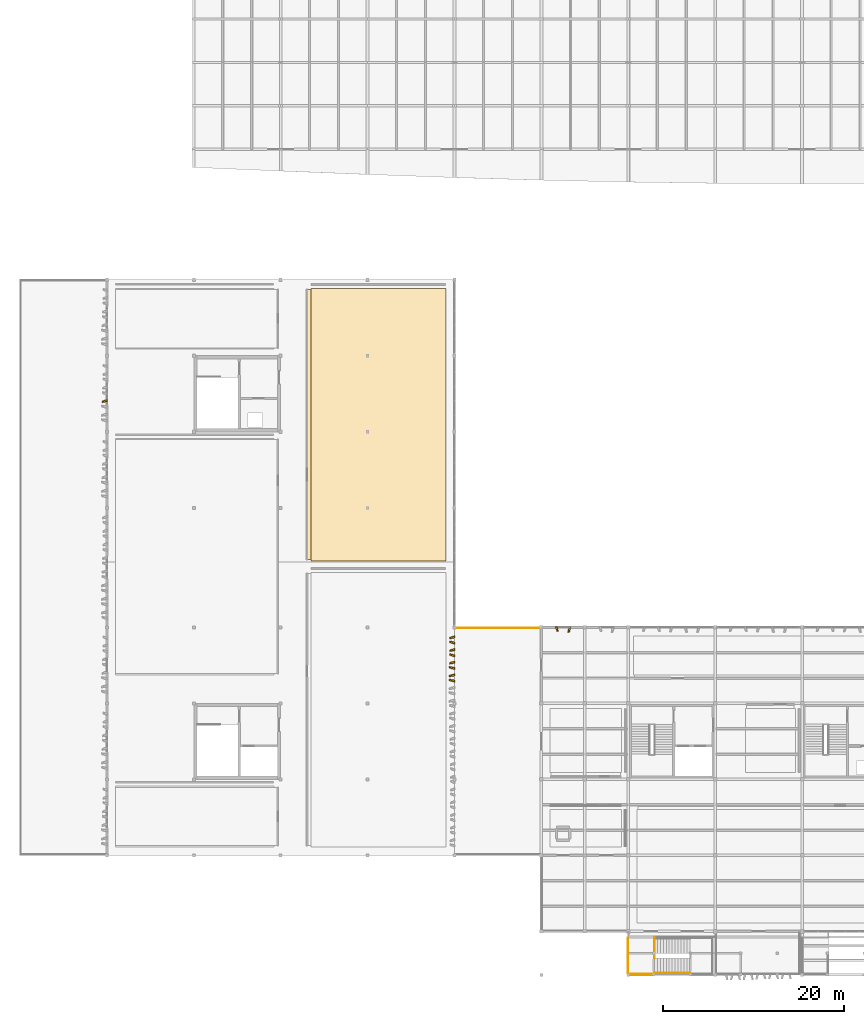
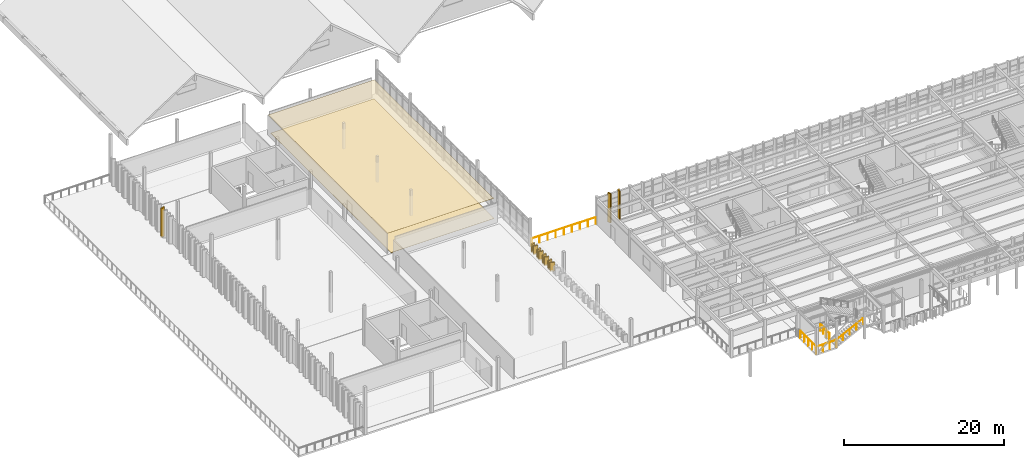
# One storey, part 37 of 42: 13 coverings, 4 railings.
"""IFC4 building model written with IfcOpenShell, lengths in metres."""

from ifc_helpers import new_model, si_unit, direction, frame, origin, origin_2d, place, context, subcontext, project, spatial, polyline, circle, outline, extrude, material, layer, layer_set, type_object, element, save


model = new_model("IFC4")

# Units and contexts
model_context = context("Model", 3, precision=1e-05, world=origin(), true_north=direction((0.0, 1.0)))
body_context = subcontext(model_context, "Body", "Model", "MODEL_VIEW")
ifc_project = project(units=[si_unit("LENGTHUNIT", "METRE"), si_unit("AREAUNIT", "SQUARE_METRE"), si_unit("VOLUMEUNIT", "CUBIC_METRE"), si_unit("PLANEANGLEUNIT", "RADIAN"), si_unit("MASSUNIT", "GRAM", prefix="KILO")], contexts=[model_context])

# Site, building, storey
site_placement = place(None, origin())
site = spatial("IfcSite", under=ifc_project, at=site_placement, CompositionType="ELEMENT")
building_placement = place(site_placement, origin())
building = spatial("IfcBuilding", under=site, at=building_placement, Name="Kolvemor Railside Polytechnic", CompositionType="ELEMENT")
storey_placement = place(building_placement, frame((0.0, 0.0, 14.39990234375)))
storey = spatial("IfcBuildingStorey", under=building, at=storey_placement, Name="L03", CompositionType="ELEMENT", Elevation=14.39990234375)

# Coverings
ifc_material_1 = material(Name="Perforated acoustic mineral-fibre and timber-slat ceiling", Category="wood")
ifc_layer_1 = layer(ifc_material_1, 0.030029296875, Name="COV-CEIL-2")
ifc_layer_set_1 = layer_set([ifc_layer_1], Name="Perforated acoustic mineral-fibre and timber-slat ceiling")
covering_type_1 = type_object("IfcCoveringType", Name="COV-CEIL-2", PredefinedType="CEILING", material=ifc_layer_set_1)
covering_1_placement = place(storey_placement, frame((0.0, 0.0, 3.0)))
element("IfcCovering", 1, at=covering_1_placement, inside=storey, type_object=covering_type_1, Name="Environmental Modelling Laboratory Acoustic Ceiling", PredefinedType="CEILING", context=body_context, shape_type="SweptSolid", body=[
    extrude(outline(polyline([(31.719970703125, 45.8798828125), (47.050048828125, 45.8798828125), (47.050048828125, 75.719970703125), (31.719970703125, 75.719970703125), (31.719970703125, 45.8798828125)])), origin(), (0.0, 0.0, 1.0), 0.030029296875),
])
ifc_material_2 = material(Name="Champagne-bronze PVDF-anodised marine aluminium 5052-H32", Category="aluminium")
ifc_layer_2 = layer(ifc_material_2, 0.179931640625, Name="COV-FIN-CHAMP")
ifc_layer_set_2 = layer_set([ifc_layer_2], Name="Champagne-bronze PVDF-anodised marine aluminium 5052-H32")
covering_type_2 = type_object("IfcCoveringType", Name="COV-FIN-CHAMP", PredefinedType="CLADDING", material=ifc_layer_set_2)
covering_2_placement = place(storey_placement, frame((0.0, 0.0, -0.219970703125)))
element("IfcCovering", 2, at=covering_2_placement, inside=storey, type_object=covering_type_2, Name="Pleated Solar Fin L03-0810", PredefinedType="CLADDING", context=body_context, shape_type="SweptSolid", body=[
    extrude(outline(polyline([(48.034912109375, 37.465087890625), (48.034912109375, 37.235107421875), (47.493896484375, 37.1298828125), (47.493896484375, 37.2900390625), (48.034912109375, 37.465087890625)])), origin(), (0.0, 0.0, 1.0), 1.3701171875),
])
covering_3_placement = place(storey_placement, frame((0.0, 0.0, -0.219970703125)))
element("IfcCovering", 3, at=covering_3_placement, inside=storey, type_object=covering_type_2, Name="Pleated Solar Fin L03-0811", PredefinedType="CLADDING", context=body_context, shape_type="SweptSolid", body=[
    extrude(outline(polyline([(48.034912109375, 36.764892578125), (48.034912109375, 36.534912109375), (47.48095703125, 36.7099609375), (47.48095703125, 36.8701171875), (48.034912109375, 36.764892578125)])), origin(), (0.0, 0.0, 1.0), 1.3701171875),
])
covering_4_placement = place(storey_placement, frame((0.0, 0.0, -0.219970703125)))
element("IfcCovering", 4, at=covering_4_placement, inside=storey, type_object=covering_type_2, Name="Pleated Solar Fin L03-0812", PredefinedType="CLADDING", context=body_context, shape_type="SweptSolid", body=[
    extrude(outline(polyline([(48.034912109375, 36.06494140625), (48.034912109375, 35.8349609375), (47.468994140625, 35.72998046875), (47.468994140625, 35.889892578125), (48.034912109375, 36.06494140625)])), origin(), (0.0, 0.0, 1.0), 1.3701171875),
])
covering_5_placement = place(storey_placement, frame((0.0, 0.0, -0.219970703125)))
element("IfcCovering", 5, at=covering_5_placement, inside=storey, type_object=covering_type_2, Name="Pleated Solar Fin L03-0813", PredefinedType="CLADDING", context=body_context, shape_type="SweptSolid", body=[
    extrude(outline(polyline([(48.034912109375, 35.364990234375), (48.034912109375, 35.135009765625), (47.4580078125, 35.31005859375), (47.4580078125, 35.469970703125), (48.034912109375, 35.364990234375)])), origin(), (0.0, 0.0, 1.0), 1.3701171875),
])
covering_6_placement = place(storey_placement, frame((0.0, 0.0, -0.219970703125)))
element("IfcCovering", 6, at=covering_6_placement, inside=storey, type_object=covering_type_2, Name="Pleated Solar Fin L03-0814", PredefinedType="CLADDING", context=body_context, shape_type="SweptSolid", body=[
    extrude(outline(polyline([(48.034912109375, 34.6650390625), (48.034912109375, 34.43505859375), (47.448974609375, 34.330078125), (47.448974609375, 34.489990234375), (48.034912109375, 34.6650390625)])), origin(), (0.0, 0.0, 1.0), 1.3701171875),
])
covering_7_placement = place(storey_placement, frame((0.0, 0.0, -0.219970703125)))
element("IfcCovering", 7, at=covering_7_placement, inside=storey, type_object=covering_type_2, Name="Pleated Solar Fin L03-0815", PredefinedType="CLADDING", context=body_context, shape_type="SweptSolid", body=[
    extrude(outline(polyline([(48.034912109375, 33.965087890625), (48.034912109375, 33.735107421875), (47.44189453125, 33.909912109375), (47.44189453125, 34.070068359375), (48.034912109375, 33.965087890625)])), origin(), (0.0, 0.0, 1.0), 1.3701171875),
])
covering_8_placement = place(storey_placement, frame((0.0, 0.0, -0.219970703125)))
element("IfcCovering", 8, at=covering_8_placement, inside=storey, type_object=covering_type_2, Name="Pleated Solar Fin L03-0816", PredefinedType="CLADDING", context=body_context, shape_type="SweptSolid", body=[
    extrude(outline(polyline([(48.034912109375, 33.264892578125), (48.034912109375, 33.034912109375), (47.43798828125, 32.929931640625), (47.43798828125, 33.090087890625), (48.034912109375, 33.264892578125)])), origin(), (0.0, 0.0, 1.0), 1.3701171875),
])
covering_9_placement = place(storey_placement, frame((0.0, 0.0, -0.219970703125)))
element("IfcCovering", 9, at=covering_9_placement, inside=storey, type_object=covering_type_2, Name="Pleated Solar Fin L03-0817", PredefinedType="CLADDING", context=body_context, shape_type="SweptSolid", body=[
    extrude(outline(polyline([(48.034912109375, 32.56494140625), (48.034912109375, 32.3349609375), (47.43505859375, 32.510009765625), (47.43505859375, 32.669921875), (48.034912109375, 32.56494140625)])), origin(), (0.0, 0.0, 1.0), 1.3701171875),
])
ifc_material_3 = material(Name="Sea-mist PVDF-anodised marine aluminium 5052-H32", Category="aluminium")
ifc_layer_3 = layer(ifc_material_3, 0.159912109375, Name="COV-FIN-MIST")
ifc_layer_set_3 = layer_set([ifc_layer_3], Name="Sea-mist PVDF-anodised marine aluminium 5052-H32")
covering_type_3 = type_object("IfcCoveringType", Name="COV-FIN-MIST", PredefinedType="CLADDING", material=ifc_layer_set_3)
covering_10_placement = place(storey_placement, frame((0.0, 0.0, -0.239990234375)))
element("IfcCovering", 10, at=covering_10_placement, inside=storey, type_object=covering_type_3, Name="Pleated Solar Fin L03-0231", PredefinedType="CLADDING", context=body_context, shape_type="SweptSolid", body=[
    extrude(outline(polyline([(9.635009765625, 63.3349609375), (9.635009765625, 63.56494140625), (9.072021484375, 63.389892578125), (9.072021484375, 63.22998046875), (9.635009765625, 63.3349609375)])), origin(), (0.0, 0.0, 1.0), 4.440185546875),
])
covering_11_placement = place(storey_placement, frame((0.0, 0.0, -0.25)))
element("IfcCovering", 11, at=covering_11_placement, inside=storey, type_object=covering_type_3, Name="Pleated Solar Fin L03-0528", PredefinedType="CLADDING", context=body_context, shape_type="SweptSolid", body=[
    extrude(outline(polyline([(60.864990234375, 38.43505859375), (60.635009765625, 38.43505859375), (60.530029296875, 37.847900390625), (60.68994140625, 37.847900390625), (60.864990234375, 38.43505859375)])), origin(), (0.0, 0.0, 1.0), 4.4501953125),
])
covering_12_placement = place(storey_placement, frame((0.0, 0.0, -0.25)))
element("IfcCovering", 12, at=covering_12_placement, inside=storey, type_object=covering_type_3, Name="Pleated Solar Fin L03-0529", PredefinedType="CLADDING", context=body_context, shape_type="SweptSolid", body=[
    extrude(outline(polyline([(59.364990234375, 38.43505859375), (59.135009765625, 38.43505859375), (59.31005859375, 37.98193359375), (59.469970703125, 37.98193359375), (59.364990234375, 38.43505859375)])), origin(), (0.0, 0.0, 1.0), 4.4501953125),
])
ifc_material_4 = material(Name="Polished coral-aggregate terrazzo and laboratory epoxy flooring")
ifc_layer_4 = layer(ifc_material_4, 0.02490234375, Name="COV-FLR-2")
ifc_layer_set_4 = layer_set([ifc_layer_4], Name="Polished coral-aggregate terrazzo and laboratory epoxy flooring")
covering_type_4 = type_object("IfcCoveringType", Name="COV-FLR-2", PredefinedType="FLOORING", material=ifc_layer_set_4)
covering_13_placement = place(storey_placement, origin())
element("IfcCovering", 13, at=covering_13_placement, inside=storey, type_object=covering_type_4, Name="Environmental Modelling Laboratory Floor Finish", PredefinedType="FLOORING", context=body_context, shape_type="SweptSolid", body=[
    extrude(outline(polyline([(32.14990234375, 45.75), (47.050048828125, 45.75), (47.050048828125, 75.85009765625), (32.14990234375, 75.85009765625), (32.14990234375, 45.75)])), origin(), (0.0, 0.0, 1.0), 0.025146484375),
])

# Railings
ifc_material_5 = material(Name="AISI 316 marine stainless-steel balustrade guard", Category="steel")
railing_type_1 = type_object("IfcRailingType", Name="RLG-GUARD-1120", PredefinedType="BALUSTRADE", material=ifc_material_5)
railing_1_placement = place(storey_placement, frame((57.4599609375, 38.320068359375, 0.0)))
element("IfcRailing", 14, at=railing_1_placement, inside=storey, type_object=railing_type_1, Name="Shifted West Cantilever Terrace L03 N Guard GR-015", PredefinedType="BALUSTRADE", context=body_context, shape_type="SweptSolid", body=[
    extrude(circle(Radius=0.02392578125, at=origin_2d()), frame((-0.054931640625, 0.0, 1.09619140625), z_axis=(-1.0, 0.0, 0.0), x_axis=(0.0, -1.0, 0.0)), (0.0, 0.0, 1.0), 9.2099609375),
    extrude(circle(Radius=0.02099609375, at=origin_2d()), origin(), (0.0, 0.0, 1.0), 1.05712890625),
    extrude(circle(Radius=0.02099609375, at=origin_2d()), frame((-1.1650390625, 0.0, 0.0)), (0.0, 0.0, 1.0), 1.05712890625),
    extrude(circle(Radius=0.02099609375, at=origin_2d()), frame((-2.330078125, 0.0, 0.0)), (0.0, 0.0, 1.0), 1.05712890625),
    extrude(circle(Radius=0.02099609375, at=origin_2d()), frame((-3.4951171875, 0.0, 0.0)), (0.0, 0.0, 1.0), 1.05712890625),
    extrude(circle(Radius=0.02099609375, at=origin_2d()), frame((-4.66015625, 0.0, 0.0)), (0.0, 0.0, 1.0), 1.05712890625),
    extrude(circle(Radius=0.02099609375, at=origin_2d()), frame((-5.824951171875, 0.0, 0.0)), (0.0, 0.0, 1.0), 1.05712890625),
    extrude(circle(Radius=0.02099609375, at=origin_2d()), frame((-6.989990234375, 0.0, 0.0)), (0.0, 0.0, 1.0), 1.05712890625),
    extrude(circle(Radius=0.02099609375, at=origin_2d()), frame((-8.155029296875, 0.0, 0.0)), (0.0, 0.0, 1.0), 1.05712890625),
    extrude(circle(Radius=0.02099609375, at=origin_2d()), frame((-9.320068359375, 0.0, 0.0)), (0.0, 0.0, 1.0), 1.05712890625),
])
railing_2_placement = place(storey_placement, frame((70.080078125, 0.1201171875, 0.0)))
element("IfcRailing", 15, at=railing_2_placement, inside=storey, type_object=railing_type_1, Name="ST-EXT Departure Landing Guard L03", PredefinedType="BALUSTRADE", context=body_context, shape_type="SweptSolid", body=[
    extrude(circle(Radius=0.02392578125, at=origin_2d()), frame((-0.054931640625, 0.0, 1.09619140625), z_axis=(-1.0, 0.0, 0.0), x_axis=(0.0, -1.0, 0.0)), (0.0, 0.0, 1.0), 2.800048828125),
    extrude(circle(Radius=0.02392578125, at=origin_2d()), frame((-2.91015625, 0.054931640625, 1.09619140625), z_axis=(0.0, 1.0, 0.0), x_axis=(-1.0, 0.0, 0.0)), (0.0, 0.0, 1.0), 3.849853515625),
    extrude(circle(Radius=0.02099609375, at=origin_2d()), origin(), (0.0, 0.0, 1.0), 1.05712890625),
    extrude(circle(Radius=0.02099609375, at=origin_2d()), frame((-0.969970703125, 0.0, 0.0)), (0.0, 0.0, 1.0), 1.05712890625),
    extrude(circle(Radius=0.02099609375, at=origin_2d()), frame((-1.940185546875, 0.0, 0.0)), (0.0, 0.0, 1.0), 1.05712890625),
    extrude(circle(Radius=0.02099609375, at=origin_2d()), frame((-2.91015625, 0.0, 0.0)), (0.0, 0.0, 1.0), 1.05712890625),
    extrude(circle(Radius=0.02099609375, at=origin_2d()), frame((-2.91015625, 0.989990234375, 0.0)), (0.0, 0.0, 1.0), 1.05712890625),
    extrude(circle(Radius=0.02099609375, at=origin_2d()), frame((-2.91015625, 1.97998046875, 0.0)), (0.0, 0.0, 1.0), 1.05712890625),
    extrude(circle(Radius=0.02099609375, at=origin_2d()), frame((-2.91015625, 2.969970703125, 0.0)), (0.0, 0.0, 1.0), 1.05712890625),
    extrude(circle(Radius=0.02099609375, at=origin_2d()), frame((-2.91015625, 3.9599609375, 0.0)), (0.0, 0.0, 1.0), 1.05712890625),
])
railing_3_placement = place(storey_placement, frame((70.080078125, 1.860107421875, 0.0)))
element("IfcRailing", 16, at=railing_3_placement, inside=storey, type_object=railing_type_1, Name="ST-EXT Departure Landing East Guard L03", PredefinedType="BALUSTRADE", context=body_context, shape_type="SweptSolid", body=[
    extrude(circle(Radius=0.02392578125, at=origin_2d()), frame((0.0, 0.054931640625, 1.09619140625), z_axis=(0.0, 1.0, 0.0), x_axis=(-1.0, 0.0, 0.0)), (0.0, 0.0, 1.0), 2.169677734375),
    extrude(circle(Radius=0.02099609375, at=origin_2d()), origin(), (0.0, 0.0, 1.0), 1.05712890625),
    extrude(circle(Radius=0.02099609375, at=origin_2d()), frame((0.0, 0.760009765625, 0.0)), (0.0, 0.0, 1.0), 1.05712890625),
    extrude(circle(Radius=0.02099609375, at=origin_2d()), frame((0.0, 1.519775390625, 0.0)), (0.0, 0.0, 1.0), 1.05712890625),
    extrude(circle(Radius=0.02099609375, at=origin_2d()), frame((0.0, 2.27978515625, 0.0)), (0.0, 0.0, 1.0), 1.05712890625),
])
ifc_material_6 = material(Name="Brushed AISI 316 stainless-steel stair handrail", Category="steel")
railing_type_2 = type_object("IfcRailingType", Name="RLG-HANDRAIL-920", PredefinedType="HANDRAIL", material=ifc_material_6)
railing_4_placement = place(storey_placement, frame((70.10009765625, 0.199951171875, 0.16162109375)))
element("IfcRailing", 17, at=railing_4_placement, inside=storey, type_object=railing_type_2, Name="ST-EXT Flight 1 Handrail L03", PredefinedType="HANDRAIL", context=body_context, shape_type="SweptSolid", body=[
    extrude(circle(Radius=0.02392578125, at=origin_2d()), frame((0.04931640625, 0.0, 0.92041015625), z_axis=(0.895478607335, 0.0, 0.44510455379), x_axis=(0.0, 1.0, 0.0)), (0.0, 0.0, 1.0), 4.2451171875),
    extrude(circle(Radius=0.02099609375, at=origin_2d()), origin(), (0.0, 0.0, 1.0), 0.85693359375),
    extrude(circle(Radius=0.02099609375, at=origin_2d()), frame((0.97509765625, 0.0, 0.484619140625)), (0.0, 0.0, 1.0), 0.85693359375),
    extrude(circle(Radius=0.02099609375, at=origin_2d()), frame((1.949951171875, 0.0, 0.96923828125)), (0.0, 0.0, 1.0), 0.85693359375),
    extrude(circle(Radius=0.02099609375, at=origin_2d()), frame((2.9248046875, 0.0, 1.453857421875)), (0.0, 0.0, 1.0), 0.85693359375),
    extrude(circle(Radius=0.02099609375, at=origin_2d()), frame((3.89990234375, 0.0, 1.9384765625)), (0.0, 0.0, 1.0), 0.85693359375),
])

save(model, "model.ifc")
